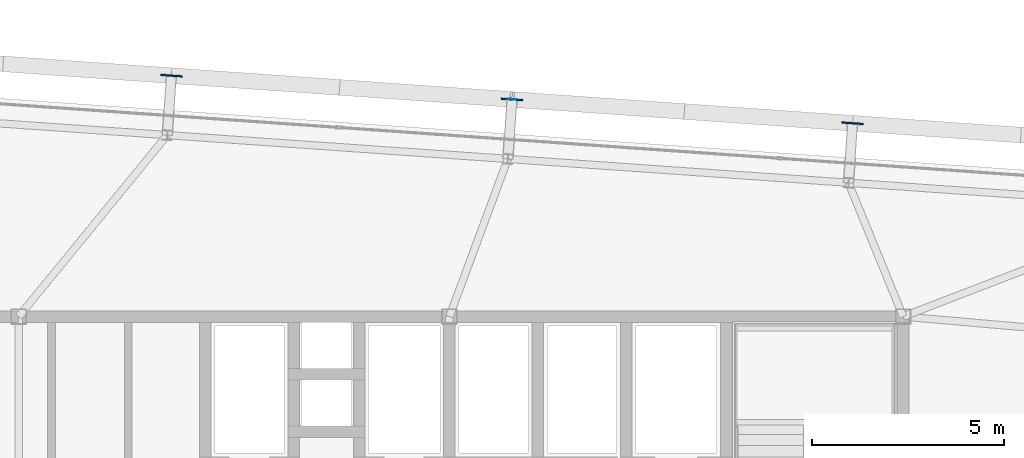
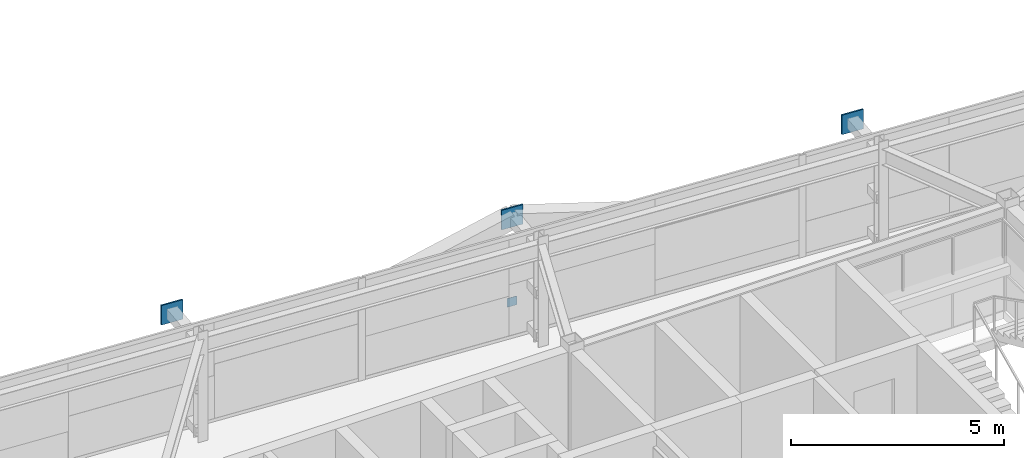
# One storey, part 33 of 39: 4 plates.
"""IFC4 building model written with IfcOpenShell, lengths in metres."""

from ifc_helpers import new_model, si_unit, direction, frame, origin, origin_2d, place, context, subcontext, project, spatial, rectangle, extrude, source, transform, mapped, material, layer, layer_set, type_object, element, save


model = new_model("IFC4")

# Units and contexts
model_context = context("Model", 3, precision=1e-05, world=origin(), true_north=direction((0.0, 1.0)))
body_context = subcontext(model_context, "Body", "Model", "MODEL_VIEW")
ifc_project = project(units=[si_unit("LENGTHUNIT", "METRE"), si_unit("AREAUNIT", "SQUARE_METRE"), si_unit("VOLUMEUNIT", "CUBIC_METRE"), si_unit("PLANEANGLEUNIT", "RADIAN"), si_unit("MASSUNIT", "GRAM", prefix="KILO")], contexts=[model_context])

# Site, building, storey
site_placement = place(None, origin())
site = spatial("IfcSite", under=ifc_project, at=site_placement, CompositionType="ELEMENT")
building_placement = place(site_placement, origin())
building = spatial("IfcBuilding", under=site, at=building_placement, Name="Taldren Reach Tower", CompositionType="ELEMENT")
storey_placement = place(building_placement, frame((0.0, 0.0, 133.0)))
storey = spatial("IfcBuildingStorey", under=building, at=storey_placement, Name="L40", CompositionType="ELEMENT", Elevation=133.0)

# Plates
ifc_material_1 = material(Name="Steel Gr 450 (C450L0)", Category="steel")
ifc_layer_1 = layer(ifc_material_1, 0.0400390625)
ifc_layer_set_1 = layer_set([ifc_layer_1], Name="Steel Gr 450 (C450L0)")
plate_type_1 = type_object("IfcPlateType", Name="PL-GUSSET-40", PredefinedType="SHEET", material=ifc_layer_set_1)
shared_shape_1 = source(origin(), body_context, "Body", "SweptSolid", [
    extrude(rectangle(XDim=0.56005859375, YDim=0.0400390625, at=origin_2d()), origin(), (0.0, 0.0, 1.0), 0.56005859375),
])
for number, where, z_axis, x_axis, name in (
    (1, (31.969482421875, 38.26611328125, 2.369873046875), (0.0, 0.0, 1.0), (0.99756405026, -0.069756473744, 0.0), "Exoskeleton star-node gusset plate B3-N3 L40"),
    (2, (40.827880859375, 37.646728515625, 2.369873046875), (0.0, 0.0, 1.0), (0.99756405026, -0.069756473744, 0.0), "Exoskeleton star-node gusset plate B3-N4 L40"),
    (3, (49.686279296875, 37.02734375, 2.369873046875), (0.0, 0.0, 1.0), (0.99756405026, -0.069756473744, 0.0), "Exoskeleton star-node gusset plate B3-N5 L40"),
):
    element("IfcPlate", number, at=place(storey_placement, frame(where, z_axis=z_axis, x_axis=x_axis)), inside=storey, type_object=plate_type_1, Name=name, PredefinedType="SHEET", context=body_context, shape_type="MappedRepresentation", body=[
        mapped(shared_shape_1, transform((0.0, 0.0, 0.0), scale=1.0)),
    ])
ifc_material_2 = material(Name="Steel Gr 350 (C350L0)", Category="steel")
ifc_layer_2 = layer(ifc_material_2, 0.011962890625)
ifc_layer_set_2 = layer_set([ifc_layer_2], Name="Steel Gr 350 (C350L0)")
plate_type_2 = type_object("IfcPlateType", Name="PL-CAP-250", PredefinedType="SHEET", material=ifc_layer_set_2)
shared_shape_2 = source(origin(), body_context, "Body", "SweptSolid", [
    extrude(rectangle(XDim=0.25, YDim=0.011962890625, at=origin_2d()), origin(), (0.0, 0.0, 1.0), 0.25),
])
plate_placement = place(storey_placement, frame((40.828125, 37.652587890625, 0.094970703125), z_axis=(0.0, 0.0, 1.0), x_axis=(0.99756405026, -0.069756473744, 0.0)))
element("IfcPlate", 4, at=plate_placement, inside=storey, type_object=plate_type_2, Name="Tie strut end cap plate B3-N4 L40", PredefinedType="SHEET", context=body_context, shape_type="MappedRepresentation", body=[
    mapped(shared_shape_2, transform((0.0, 0.0, 0.0), scale=1.0)),
])

save(model, "model.ifc")
